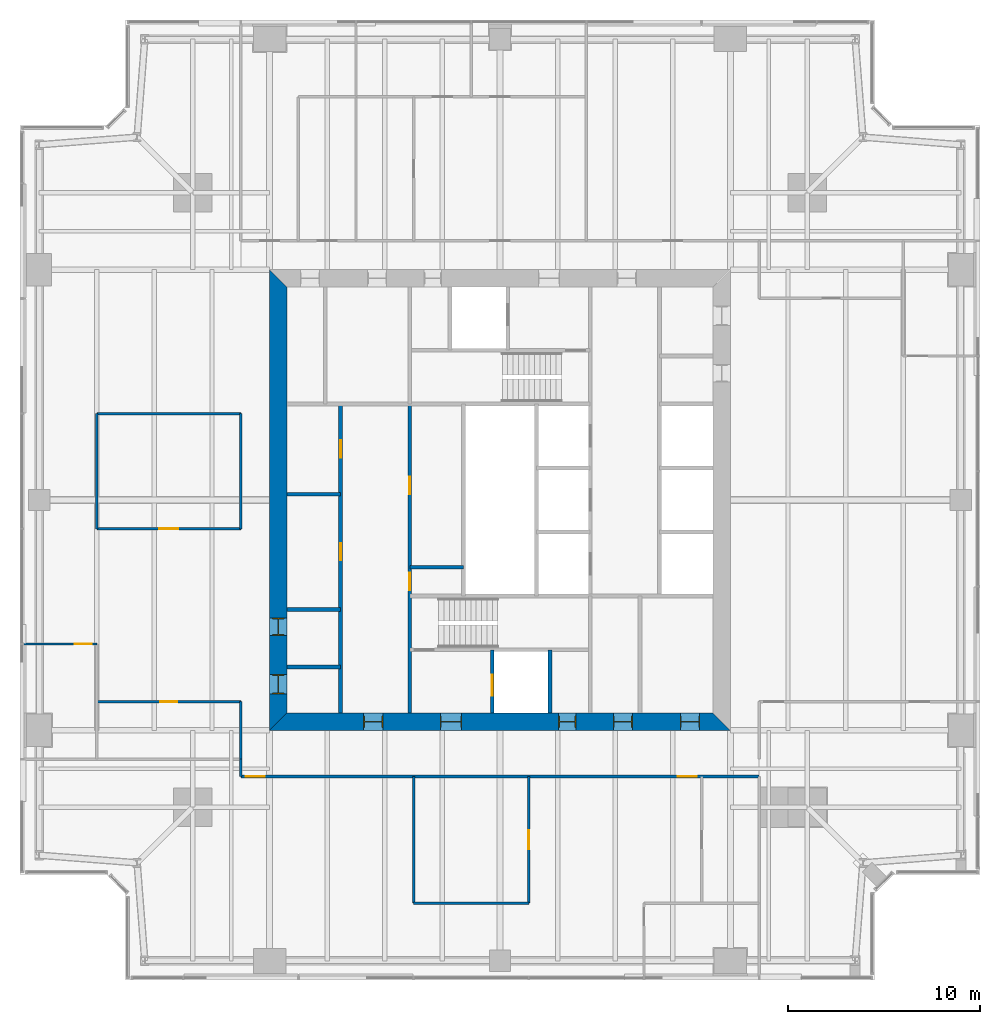
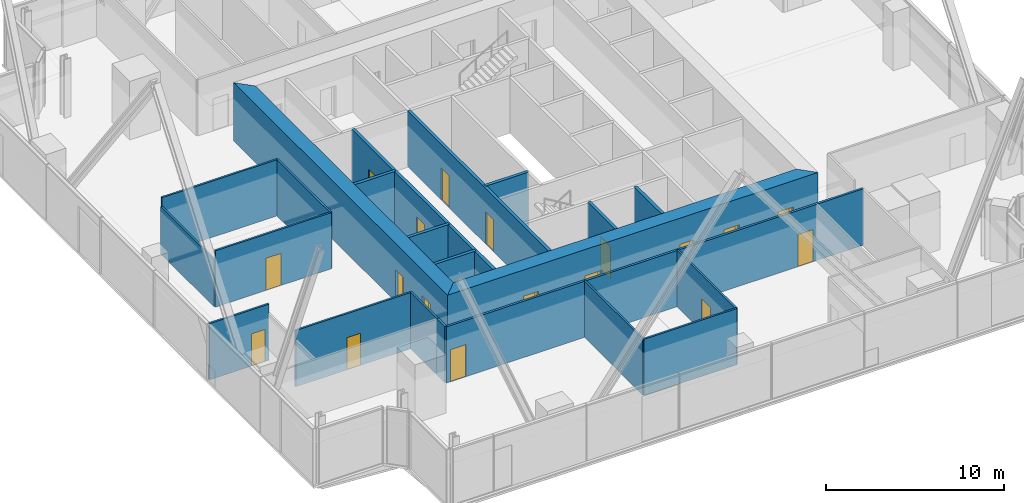
# One storey, part 9 of 13: 22 walls, 18 doors, 18 openings.
"""IFC4 building model written with IfcOpenShell, lengths in metres."""

from ifc_helpers import new_model, si_unit, direction, frame, frame_2d, origin, place, context, subcontext, project, spatial, polyline, rectangle, outline, extrude, material, layer, layer_set, type_object, element, fill, save


model = new_model("IFC4")

# Units and contexts
model_context = context("Model", 3, precision=1e-05, world=origin(), true_north=direction((0.0, 1.0)))
body_context = subcontext(model_context, "Body", "Model", "MODEL_VIEW")
ifc_project = project(units=[si_unit("LENGTHUNIT", "METRE"), si_unit("AREAUNIT", "SQUARE_METRE"), si_unit("VOLUMEUNIT", "CUBIC_METRE"), si_unit("PLANEANGLEUNIT", "RADIAN"), si_unit("MASSUNIT", "GRAM", prefix="KILO")], contexts=[model_context])

# Site, building, storey
site_placement = place(None, origin())
site = spatial("IfcSite", under=ifc_project, at=site_placement, CompositionType="ELEMENT")
building_placement = place(site_placement, origin())
building = spatial("IfcBuilding", under=site, at=building_placement, Name="Fenwick Lantern Interchange", CompositionType="ELEMENT")
storey_placement = place(building_placement, frame((0.0, 0.0, 201.800048828125)))
storey = spatial("IfcBuildingStorey", under=building, at=storey_placement, Name="L47", CompositionType="ELEMENT", Elevation=201.800048828125)

# Wall, openings, doors
ifc_material_1 = material(Name="Concrete masonry ASTM C90 Grade N", Category="masonry")
ifc_layer_1 = layer(ifc_material_1, 0.199951171875)
ifc_layer_set_1 = layer_set([ifc_layer_1], Name="Concrete masonry ASTM C90 Grade N")
wall_type_1 = type_object("IfcWallType", Name="CORE PARTITION 200", PredefinedType="PARTITIONING", material=ifc_layer_set_1)
wall_1_placement = place(storey_placement, frame((16.699951171875, 13.89990234375, 0.0), z_axis=(0.0, 0.0, 1.0), x_axis=(0.0, 1.0, 0.0)))
wall_1 = element("IfcWall", 1, at=wall_1_placement, inside=storey, type_object=wall_type_1, Name="L47/W/CORES/a", PredefinedType="PARTITIONING", context=body_context, shape_type="SweptSolid", body=[
    extrude(rectangle(XDim=16.10009765625, YDim=0.199951171875, at=frame_2d((8.050048828125, 0.0))), origin(), (0.0, 0.0, 1.0), 3.800048828125),
])
opening_1_placement = place(wall_1_placement, frame((7.949951171875, 0.0, 0.0)))
opening_1 = element("IfcOpeningElement", 2, at=opening_1_placement, cuts=wall_1, Name="Opening L47-D009", PredefinedType="OPENING", context=body_context, shape_type="SweptSolid", body=[
    extrude(rectangle(XDim=0.89990234375, YDim=2.199951171875, at=frame_2d((0.449951171875, 1.10009765625))), frame((0.0, 0.10986328125, 0.0), z_axis=(0.0, -1.0, 0.0), x_axis=(1.0, 0.0, 0.0)), (0.0, 0.0, 1.0), 0.219970703125),
])
opening_2_placement = place(wall_1_placement, frame((13.300048828125, 0.0, 0.0)))
opening_2 = element("IfcOpeningElement", 3, at=opening_2_placement, cuts=wall_1, Name="Opening L47-D010", PredefinedType="OPENING", context=body_context, shape_type="SweptSolid", body=[
    extrude(rectangle(XDim=0.89990234375, YDim=2.199951171875, at=frame_2d((0.449951171875, 1.10009765625))), frame((0.0, 0.10986328125, 0.0), z_axis=(0.0, -1.0, 0.0), x_axis=(1.0, 0.0, 0.0)), (0.0, 0.0, 1.0), 0.219970703125),
])
ifc_material_2 = material(Name="Steel door and frame", Category="steel")
door_type_1 = type_object("IfcDoorType", Name="SERVICE DOOR 900 X 2200", OperationType="SINGLE_SWING_LEFT", PredefinedType="DOOR", material=ifc_material_2)
door_1_placement = place(opening_1_placement, origin())
door_1 = element("IfcDoor", 4, at=door_1_placement, inside=storey, type_object=door_type_1, Name="Service door", OperationType="SINGLE_SWING_LEFT", OverallHeight=2.199951171875, OverallWidth=0.89990234375, PredefinedType="DOOR", context=body_context, shape_type="SweptSolid", body=[
    extrude(rectangle(XDim=0.89990234375, YDim=2.199951171875, at=frame_2d((0.449951171875, 1.10009765625))), frame((0.0, 0.02490234375, 0.0), z_axis=(0.0, -1.0, 0.0), x_axis=(1.0, 0.0, 0.0)), (0.0, 0.0, 1.0), 0.050048828125),
])
fill(opening_1, door_1)
door_2_placement = place(opening_2_placement, origin())
door_2 = element("IfcDoor", 5, at=door_2_placement, inside=storey, type_object=door_type_1, Name="Service door", OperationType="SINGLE_SWING_LEFT", OverallHeight=2.199951171875, OverallWidth=0.89990234375, PredefinedType="DOOR", context=body_context, shape_type="SweptSolid", body=[
    extrude(rectangle(XDim=0.89990234375, YDim=2.199951171875, at=frame_2d((0.449951171875, 1.10009765625))), frame((0.0, 0.02490234375, 0.0), z_axis=(0.0, -1.0, 0.0), x_axis=(1.0, 0.0, 0.0)), (0.0, 0.0, 1.0), 0.050048828125),
])
fill(opening_2, door_2)

# Wall, opening, door
wall_2_placement = place(storey_placement, frame((24.60009765625, 13.89990234375, 0.0), z_axis=(0.0, 0.0, 1.0), x_axis=(0.0, 1.0, 0.0)))
wall_2 = element("IfcWall", 6, at=wall_2_placement, inside=storey, type_object=wall_type_1, Name="L47/W/CORES/h1", PredefinedType="PARTITIONING", context=body_context, shape_type="SweptSolid", body=[
    extrude(rectangle(XDim=3.300048828125, YDim=0.199951171875, at=frame_2d((1.64990234375, 0.0))), origin(), (0.0, 0.0, 1.0), 3.800048828125),
])
opening_3_placement = place(wall_2_placement, frame((0.89990234375, 0.0, 0.0)))
opening_3 = element("IfcOpeningElement", 7, at=opening_3_placement, cuts=wall_2, Name="Opening LD-FL1", PredefinedType="OPENING", context=body_context, shape_type="SweptSolid", body=[
    extrude(rectangle(XDim=1.10009765625, YDim=2.199951171875, at=frame_2d((0.550048828125, 1.10009765625))), frame((0.0, 0.10986328125, 0.0), z_axis=(0.0, -1.0, 0.0), x_axis=(1.0, 0.0, 0.0)), (0.0, 0.0, 1.0), 0.219970703125),
])
door_type_2 = type_object("IfcDoorType", Name="LIFT LANDING DOOR 1100 X 2200", OperationType="DOUBLE_DOOR_SLIDING", PredefinedType="DOOR", material=ifc_material_2)
door_3_placement = place(opening_3_placement, origin())
door_3 = element("IfcDoor", 8, at=door_3_placement, inside=storey, type_object=door_type_2, Name="Lift landing door FL1", OperationType="DOUBLE_DOOR_SLIDING", OverallHeight=2.199951171875, OverallWidth=1.10009765625, PredefinedType="DOOR", context=body_context, shape_type="SweptSolid", body=[
    extrude(rectangle(XDim=1.10009765625, YDim=2.199951171875, at=frame_2d((0.550048828125, 1.10009765625))), frame((0.0, 0.02490234375, 0.0), z_axis=(0.0, -1.0, 0.0), x_axis=(1.0, 0.0, 0.0)), (0.0, 0.0, 1.0), 0.050048828125),
])
fill(opening_3, door_3)

# Walls
wall_3_placement = place(storey_placement, frame((27.60009765625, 13.89990234375, 0.0), z_axis=(0.0, 0.0, 1.0), x_axis=(0.0, 1.0, 0.0)))
element("IfcWall", 9, at=wall_3_placement, inside=storey, type_object=wall_type_1, Name="L47/W/CORES/h2", PredefinedType="PARTITIONING", context=body_context, shape_type="SweptSolid", body=[
    extrude(rectangle(XDim=3.300048828125, YDim=0.199951171875, at=frame_2d((1.64990234375, 0.0))), origin(), (0.0, 0.0, 1.0), 3.800048828125),
])
for number, where, z_axis, x_axis, name in (
    (10, (13.89990234375, 16.300048828125, 0.0), (0.0, 0.0, 1.0), (1.0, 0.0, 0.0), "L47/W/CORES/p1"),
    (11, (13.89990234375, 19.300048828125, 0.0), (0.0, 0.0, 1.0), (1.0, 0.0, 0.0), "L47/W/CORES/p2"),
    (12, (13.89990234375, 25.300048828125, 0.0), (0.0, 0.0, 1.0), (1.0, 0.0, 0.0), "L47/W/CORES/p3"),
    (13, (20.300048828125, 21.5, 0.0), (0.0, 0.0, 1.0), (1.0, 0.0, 0.0), "L47/W/CORES/q1"),
):
    element("IfcWall", number, at=place(storey_placement, frame(where, z_axis=z_axis, x_axis=x_axis)), inside=storey, type_object=wall_type_1, Name=name, PredefinedType="PARTITIONING", context=body_context, shape_type="SweptSolid", body=[
        extrude(rectangle(XDim=2.800048828125, YDim=0.199951171875, at=frame_2d((1.39990234375, 0.0))), origin(), (0.0, 0.0, 1.0), 3.800048828125),
    ])

# Wall, openings, doors
ifc_material_3 = material(Name="Concrete f'c 70 MPa", Category="concrete")
ifc_layer_2 = layer(ifc_material_3, 0.89990234375)
ifc_layer_set_2 = layer_set([ifc_layer_2], Name="CORE WALL 900")
wall_type_2 = type_object("IfcWallType", Name="CORE WALL 900", PredefinedType="SHEAR", material=ifc_layer_set_2)
wall_4_placement = place(storey_placement, frame((13.0, 13.449951171875, 0.0), z_axis=(0.0, 0.0, 1.0), x_axis=(1.0, 0.0, 0.0)))
wall_4 = element("IfcWall", 14, at=wall_4_placement, inside=storey, type_object=wall_type_2, Name="L47/CORE/S", PredefinedType="SHEAR", context=body_context, shape_type="SweptSolid", body=[
    extrude(outline(polyline([(0.0, -0.449951171875), (24.0, -0.449951171875), (23.10009765625, 0.449951171875), (0.89990234375, 0.449951171875), (0.0, -0.449951171875)])), origin(), (0.0, 0.0, 1.0), 4.0),
])
opening_4_placement = place(wall_4_placement, frame((4.89990234375, 0.0, 0.0)))
opening_4 = element("IfcOpeningElement", 15, at=opening_4_placement, cuts=wall_4, Name="Opening L47-D001", PredefinedType="OPENING", context=body_context, shape_type="SweptSolid", body=[
    extrude(rectangle(XDim=1.0, YDim=2.199951171875, at=frame_2d((0.5, 1.10009765625))), frame((0.0, 0.4599609375, 0.0), z_axis=(0.0, -1.0, 0.0), x_axis=(1.0, 0.0, 0.0)), (0.0, 0.0, 1.0), 0.919921875),
])
opening_5_placement = place(wall_4_placement, frame((8.89990234375, 0.0, 0.0)))
opening_5 = element("IfcOpeningElement", 16, at=opening_5_placement, cuts=wall_4, Name="Opening L47-D002", PredefinedType="OPENING", context=body_context, shape_type="SweptSolid", body=[
    extrude(rectangle(XDim=1.10009765625, YDim=2.199951171875, at=frame_2d((0.550048828125, 1.10009765625))), frame((0.0, 0.4599609375, 0.0), z_axis=(0.0, -1.0, 0.0), x_axis=(1.0, 0.0, 0.0)), (0.0, 0.0, 1.0), 0.919921875),
])
opening_6_placement = place(wall_4_placement, frame((15.050048828125, 0.0, 0.0)))
opening_6 = element("IfcOpeningElement", 17, at=opening_6_placement, cuts=wall_4, Name="Opening L47-D004", PredefinedType="OPENING", context=body_context, shape_type="SweptSolid", body=[
    extrude(rectangle(XDim=0.89990234375, YDim=2.199951171875, at=frame_2d((0.449951171875, 1.10009765625))), frame((0.0, 0.4599609375, 0.0), z_axis=(0.0, -1.0, 0.0), x_axis=(1.0, 0.0, 0.0)), (0.0, 0.0, 1.0), 0.919921875),
])
opening_7_placement = place(wall_4_placement, frame((17.89990234375, 0.0, 0.0)))
opening_7 = element("IfcOpeningElement", 18, at=opening_7_placement, cuts=wall_4, Name="Opening L47-D005", PredefinedType="OPENING", context=body_context, shape_type="SweptSolid", body=[
    extrude(rectangle(XDim=1.0, YDim=2.199951171875, at=frame_2d((0.5, 1.10009765625))), frame((0.0, 0.4599609375, 0.0), z_axis=(0.0, -1.0, 0.0), x_axis=(1.0, 0.0, 0.0)), (0.0, 0.0, 1.0), 0.919921875),
])
opening_8_placement = place(wall_4_placement, frame((21.39990234375, 0.0, 0.0)))
opening_8 = element("IfcOpeningElement", 19, at=opening_8_placement, cuts=wall_4, Name="Opening L47-D006", PredefinedType="OPENING", context=body_context, shape_type="SweptSolid", body=[
    extrude(rectangle(XDim=1.0, YDim=2.199951171875, at=frame_2d((0.5, 1.10009765625))), frame((0.0, 0.4599609375, 0.0), z_axis=(0.0, -1.0, 0.0), x_axis=(1.0, 0.0, 0.0)), (0.0, 0.0, 1.0), 0.919921875),
])
door_type_3 = type_object("IfcDoorType", Name="CORE LOBBY DOOR 1000 X 2200", OperationType="SINGLE_SWING_LEFT", PredefinedType="DOOR", material=ifc_material_2)
door_4_placement = place(opening_4_placement, origin())
door_4 = element("IfcDoor", 20, at=door_4_placement, inside=storey, type_object=door_type_3, Name="Core lobby door", OperationType="SINGLE_SWING_LEFT", OverallHeight=2.199951171875, OverallWidth=1.0, PredefinedType="DOOR", context=body_context, shape_type="SweptSolid", body=[
    extrude(rectangle(XDim=1.0, YDim=2.199951171875, at=frame_2d((0.5, 1.10009765625))), frame((0.0, 0.02490234375, 0.0), z_axis=(0.0, -1.0, 0.0), x_axis=(1.0, 0.0, 0.0)), (0.0, 0.0, 1.0), 0.050048828125),
    extrude(outline(polyline([(0.0, 0.0), (0.0400390625, 0.0), (0.0400390625, 2.159912109375), (0.9599609375, 2.159912109375), (0.9599609375, 0.0), (1.0, 0.0), (1.0, 2.199951171875), (0.0, 2.199951171875), (0.0, 0.0)])), frame((0.0, 0.300048828125, 0.0), z_axis=(0.0, -1.0, 0.0), x_axis=(1.0, 0.0, 0.0)), (0.0, 0.0, 1.0), 0.60009765625),
])
fill(opening_4, door_4)
door_type_4 = type_object("IfcDoorType", Name="FIRE LOBBY DOOR 1100 X 2200", OperationType="SINGLE_SWING_LEFT", PredefinedType="DOOR", material=ifc_material_2)
door_5_placement = place(opening_5_placement, origin())
door_5 = element("IfcDoor", 21, at=door_5_placement, inside=storey, type_object=door_type_4, Name="Fire lobby door", OperationType="SINGLE_SWING_LEFT", OverallHeight=2.199951171875, OverallWidth=1.10009765625, PredefinedType="DOOR", context=body_context, shape_type="SweptSolid", body=[
    extrude(rectangle(XDim=1.10009765625, YDim=2.199951171875, at=frame_2d((0.550048828125, 1.10009765625))), frame((0.0, 0.02490234375, 0.0), z_axis=(0.0, -1.0, 0.0), x_axis=(1.0, 0.0, 0.0)), (0.0, 0.0, 1.0), 0.050048828125),
    extrude(outline(polyline([(0.0, 0.0), (0.0400390625, 0.0), (0.0400390625, 2.159912109375), (1.06005859375, 2.159912109375), (1.06005859375, 0.0), (1.10009765625, 0.0), (1.10009765625, 2.199951171875), (0.0, 2.199951171875), (0.0, 0.0)])), frame((0.0, 0.300048828125, 0.0), z_axis=(0.0, -1.0, 0.0), x_axis=(1.0, 0.0, 0.0)), (0.0, 0.0, 1.0), 0.60009765625),
])
fill(opening_5, door_5)
door_6_placement = place(opening_6_placement, origin())
door_6 = element("IfcDoor", 22, at=door_6_placement, inside=storey, type_object=door_type_1, Name="Service door", OperationType="SINGLE_SWING_LEFT", OverallHeight=2.199951171875, OverallWidth=0.89990234375, PredefinedType="DOOR", context=body_context, shape_type="SweptSolid", body=[
    extrude(rectangle(XDim=0.89990234375, YDim=2.199951171875, at=frame_2d((0.449951171875, 1.10009765625))), frame((0.0, 0.02490234375, 0.0), z_axis=(0.0, -1.0, 0.0), x_axis=(1.0, 0.0, 0.0)), (0.0, 0.0, 1.0), 0.050048828125),
    extrude(outline(polyline([(0.0, 0.0), (0.0400390625, 0.0), (0.0400390625, 2.159912109375), (0.85986328125, 2.159912109375), (0.85986328125, 0.0), (0.89990234375, 0.0), (0.89990234375, 2.199951171875), (0.0, 2.199951171875), (0.0, 0.0)])), frame((0.0, 0.300048828125, 0.0), z_axis=(0.0, -1.0, 0.0), x_axis=(1.0, 0.0, 0.0)), (0.0, 0.0, 1.0), 0.60009765625),
])
fill(opening_6, door_6)
ifc_material_4 = material(Name="Hardwood door and steel frame", Category="steel")
door_type_5 = type_object("IfcDoorType", Name="WC DOOR 1000 X 2200", OperationType="SINGLE_SWING_LEFT", PredefinedType="DOOR", material=ifc_material_4)
door_7_placement = place(opening_7_placement, origin())
door_7 = element("IfcDoor", 23, at=door_7_placement, inside=storey, type_object=door_type_5, Name="Wc door", OperationType="SINGLE_SWING_RIGHT", OverallHeight=2.199951171875, OverallWidth=1.0, PredefinedType="DOOR", context=body_context, shape_type="SweptSolid", body=[
    extrude(rectangle(XDim=1.0, YDim=2.199951171875, at=frame_2d((0.5, 1.10009765625))), frame((0.0, 0.02490234375, 0.0), z_axis=(0.0, -1.0, 0.0), x_axis=(1.0, 0.0, 0.0)), (0.0, 0.0, 1.0), 0.050048828125),
    extrude(outline(polyline([(0.0, 0.0), (0.0400390625, 0.0), (0.0400390625, 2.159912109375), (0.9599609375, 2.159912109375), (0.9599609375, 0.0), (1.0, 0.0), (1.0, 2.199951171875), (0.0, 2.199951171875), (0.0, 0.0)])), frame((0.0, 0.300048828125, 0.0), z_axis=(0.0, -1.0, 0.0), x_axis=(1.0, 0.0, 0.0)), (0.0, 0.0, 1.0), 0.60009765625),
])
fill(opening_7, door_7)
door_8_placement = place(opening_8_placement, origin())
door_8 = element("IfcDoor", 24, at=door_8_placement, inside=storey, type_object=door_type_5, Name="Wc door", OperationType="SINGLE_SWING_RIGHT", OverallHeight=2.199951171875, OverallWidth=1.0, PredefinedType="DOOR", context=body_context, shape_type="SweptSolid", body=[
    extrude(rectangle(XDim=1.0, YDim=2.199951171875, at=frame_2d((0.5, 1.10009765625))), frame((0.0, 0.02490234375, 0.0), z_axis=(0.0, -1.0, 0.0), x_axis=(1.0, 0.0, 0.0)), (0.0, 0.0, 1.0), 0.050048828125),
    extrude(outline(polyline([(0.0, 0.0), (0.0400390625, 0.0), (0.0400390625, 2.159912109375), (0.9599609375, 2.159912109375), (0.9599609375, 0.0), (1.0, 0.0), (1.0, 2.199951171875), (0.0, 2.199951171875), (0.0, 0.0)])), frame((0.0, 0.300048828125, 0.0), z_axis=(0.0, -1.0, 0.0), x_axis=(1.0, 0.0, 0.0)), (0.0, 0.0, 1.0), 0.60009765625),
])
fill(opening_8, door_8)

wall_5_placement = place(storey_placement, frame((13.449951171875, 36.10009765625, 0.0), z_axis=(0.0, 0.0, 1.0), x_axis=(0.0, -1.0, 0.0)))
wall_5 = element("IfcWall", 25, at=wall_5_placement, inside=storey, type_object=wall_type_2, Name="L47/CORE/W", PredefinedType="SHEAR", context=body_context, shape_type="SweptSolid", body=[
    extrude(outline(polyline([(-0.89990234375, -0.449951171875), (23.10009765625, -0.449951171875), (22.199951171875, 0.449951171875), (0.0, 0.449951171875), (-0.89990234375, -0.449951171875)])), origin(), (0.0, 0.0, 1.0), 4.0),
])
opening_9_placement = place(wall_5_placement, frame((20.199951171875, 0.0, 0.0)))
opening_9 = element("IfcOpeningElement", 26, at=opening_9_placement, cuts=wall_5, Name="Opening L47-D007", PredefinedType="OPENING", context=body_context, shape_type="SweptSolid", body=[
    extrude(rectangle(XDim=1.0, YDim=2.199951171875, at=frame_2d((0.5, 1.10009765625))), frame((0.0, 0.4599609375, 0.0), z_axis=(0.0, -1.0, 0.0), x_axis=(1.0, 0.0, 0.0)), (0.0, 0.0, 1.0), 0.919921875),
])
opening_10_placement = place(wall_5_placement, frame((17.25, 0.0, 0.0)))
opening_10 = element("IfcOpeningElement", 27, at=opening_10_placement, cuts=wall_5, Name="Opening L47-D008", PredefinedType="OPENING", context=body_context, shape_type="SweptSolid", body=[
    extrude(rectangle(XDim=0.89990234375, YDim=2.199951171875, at=frame_2d((0.449951171875, 1.10009765625))), frame((0.0, 0.4599609375, 0.0), z_axis=(0.0, -1.0, 0.0), x_axis=(1.0, 0.0, 0.0)), (0.0, 0.0, 1.0), 0.919921875),
])
door_9_placement = place(opening_10_placement, origin())
door_9 = element("IfcDoor", 28, at=door_9_placement, inside=storey, type_object=door_type_1, Name="Service door", OperationType="SINGLE_SWING_LEFT", OverallHeight=2.199951171875, OverallWidth=0.89990234375, PredefinedType="DOOR", context=body_context, shape_type="SweptSolid", body=[
    extrude(rectangle(XDim=0.89990234375, YDim=2.199951171875, at=frame_2d((0.449951171875, 1.10009765625))), frame((0.0, 0.02490234375, 0.0), z_axis=(0.0, -1.0, 0.0), x_axis=(1.0, 0.0, 0.0)), (0.0, 0.0, 1.0), 0.050048828125),
    extrude(outline(polyline([(0.0, 0.0), (0.0400390625, 0.0), (0.0400390625, 2.159912109375), (0.85986328125, 2.159912109375), (0.85986328125, 0.0), (0.89990234375, 0.0), (0.89990234375, 2.199951171875), (0.0, 2.199951171875), (0.0, 0.0)])), frame((0.0, 0.300048828125, 0.0), z_axis=(0.0, -1.0, 0.0), x_axis=(1.0, 0.0, 0.0)), (0.0, 0.0, 1.0), 0.60009765625),
])
fill(opening_10, door_9)
door_10_placement = place(opening_9_placement, origin())
door_10 = element("IfcDoor", 29, at=door_10_placement, inside=storey, type_object=door_type_5, Name="Wc door", OperationType="SINGLE_SWING_LEFT", OverallHeight=2.199951171875, OverallWidth=1.0, PredefinedType="DOOR", context=body_context, shape_type="SweptSolid", body=[
    extrude(rectangle(XDim=1.0, YDim=2.199951171875, at=frame_2d((0.5, 1.10009765625))), frame((0.0, 0.02490234375, 0.0), z_axis=(0.0, -1.0, 0.0), x_axis=(1.0, 0.0, 0.0)), (0.0, 0.0, 1.0), 0.050048828125),
    extrude(outline(polyline([(0.0, 0.0), (0.0400390625, 0.0), (0.0400390625, 2.159912109375), (0.9599609375, 2.159912109375), (0.9599609375, 0.0), (1.0, 0.0), (1.0, 2.199951171875), (0.0, 2.199951171875), (0.0, 0.0)])), frame((0.0, 0.300048828125, 0.0), z_axis=(0.0, -1.0, 0.0), x_axis=(1.0, 0.0, 0.0)), (0.0, 0.0, 1.0), 0.60009765625),
])
fill(opening_9, door_10)

# Wall
ifc_material_5 = material(Name="Gypsum board on steel studs, 1 hour", Category="steel")
ifc_layer_3 = layer(ifc_material_5, 0.14990234375)
ifc_layer_set_3 = layer_set([ifc_layer_3], Name="CORRIDOR WALL 150")
wall_type_3 = type_object("IfcWallType", Name="CORRIDOR WALL 150", PredefinedType="PARTITIONING", material=ifc_layer_set_3)
wall_6_placement = place(storey_placement, frame((11.5, 11.5, 0.0), z_axis=(0.0, 0.0, 1.0), x_axis=(0.0, -1.0, 0.0)))
element("IfcWall", 30, at=wall_6_placement, inside=storey, type_object=wall_type_3, Name="L47/W/OFF/S/CWJ", PredefinedType="PARTITIONING", context=body_context, shape_type="SweptSolid", body=[
    extrude(rectangle(XDim=0.89990234375, YDim=0.14990234375, at=frame_2d((0.449951171875, 0.0))), origin(), (0.0, 0.0, 1.0), 3.849853515625),
])

# Wall, openings, doors
wall_7_placement = place(storey_placement, frame((11.5, 10.60009765625, 0.0), z_axis=(0.0, 0.0, 1.0), x_axis=(1.0, 0.0, 0.0)))
wall_7 = element("IfcWall", 31, at=wall_7_placement, inside=storey, type_object=wall_type_3, Name="L47/W/OFF/S/CW2", PredefinedType="PARTITIONING", context=body_context, shape_type="SweptSolid", body=[
    extrude(rectangle(XDim=27.0, YDim=0.14990234375, at=frame_2d((13.5, 0.0))), origin(), (0.0, 0.0, 1.0), 3.849853515625),
])
opening_11_placement = place(wall_7_placement, frame((0.25, 0.0, 0.0)))
opening_11 = element("IfcOpeningElement", 32, at=opening_11_placement, cuts=wall_7, Name="Opening L47-D021", PredefinedType="OPENING", context=body_context, shape_type="SweptSolid", body=[
    extrude(rectangle(XDim=1.0, YDim=2.199951171875, at=frame_2d((0.5, 1.10009765625))), frame((0.0, 0.0849609375, 0.0), z_axis=(0.0, -1.0, 0.0), x_axis=(1.0, 0.0, 0.0)), (0.0, 0.0, 1.0), 0.169921875),
])
opening_12_placement = place(wall_7_placement, frame((22.75, 0.0, 0.0)))
opening_12 = element("IfcOpeningElement", 33, at=opening_12_placement, cuts=wall_7, Name="Opening L47-D022", PredefinedType="OPENING", context=body_context, shape_type="SweptSolid", body=[
    extrude(rectangle(XDim=1.0, YDim=2.199951171875, at=frame_2d((0.5, 1.10009765625))), frame((0.0, 0.0849609375, 0.0), z_axis=(0.0, -1.0, 0.0), x_axis=(1.0, 0.0, 0.0)), (0.0, 0.0, 1.0), 0.169921875),
])
door_type_6 = type_object("IfcDoorType", Name="SUITE ENTRANCE DOOR 1000 X 2200", OperationType="SINGLE_SWING_LEFT", PredefinedType="DOOR", material=ifc_material_2)
door_11_placement = place(opening_11_placement, origin())
door_11 = element("IfcDoor", 34, at=door_11_placement, inside=storey, type_object=door_type_6, Name="Suite entrance door", OperationType="SINGLE_SWING_LEFT", OverallHeight=2.199951171875, OverallWidth=1.0, PredefinedType="DOOR", context=body_context, shape_type="SweptSolid", body=[
    extrude(rectangle(XDim=1.0, YDim=2.199951171875, at=frame_2d((0.5, 1.10009765625))), frame((0.0, 0.02490234375, 0.0), z_axis=(0.0, -1.0, 0.0), x_axis=(1.0, 0.0, 0.0)), (0.0, 0.0, 1.0), 0.050048828125),
])
fill(opening_11, door_11)
door_12_placement = place(opening_12_placement, origin())
door_12 = element("IfcDoor", 35, at=door_12_placement, inside=storey, type_object=door_type_6, Name="Suite entrance door", OperationType="SINGLE_SWING_RIGHT", OverallHeight=2.199951171875, OverallWidth=1.0, PredefinedType="DOOR", context=body_context, shape_type="SweptSolid", body=[
    extrude(rectangle(XDim=1.0, YDim=2.199951171875, at=frame_2d((0.5, 1.10009765625))), frame((0.0, 0.02490234375, 0.0), z_axis=(0.0, -1.0, 0.0), x_axis=(1.0, 0.0, 0.0)), (0.0, 0.0, 1.0), 0.050048828125),
])
fill(opening_12, door_12)

# Wall
ifc_material_6 = material(Name="Gypsum board on steel studs, acoustic", Category="steel")
ifc_layer_4 = layer(ifc_material_6, 0.125)
ifc_layer_set_4 = layer_set([ifc_layer_4], Name="OFFICE PARTITION 125")
wall_type_4 = type_object("IfcWallType", Name="OFFICE PARTITION 125", PredefinedType="PARTITIONING", material=ifc_layer_set_4)
wall_8_placement = place(storey_placement, frame((20.5, 4.0, 0.0), z_axis=(0.0, 0.0, 1.0), x_axis=(0.0, 1.0, 0.0)))
element("IfcWall", 36, at=wall_8_placement, inside=storey, type_object=wall_type_4, Name="L47/W/OFF/S/X205-1", PredefinedType="PARTITIONING", context=body_context, shape_type="SweptSolid", body=[
    extrude(rectangle(XDim=6.60009765625, YDim=0.125, at=frame_2d((3.300048828125, 0.0))), origin(), (0.0, 0.0, 1.0), 3.849853515625),
])

# Wall, opening, door
wall_9_placement = place(storey_placement, frame((26.5, 4.0, 0.0), z_axis=(0.0, 0.0, 1.0), x_axis=(0.0, 1.0, 0.0)))
wall_9 = element("IfcWall", 37, at=wall_9_placement, inside=storey, type_object=wall_type_4, Name="L47/W/OFF/S/X265-1", PredefinedType="PARTITIONING", context=body_context, shape_type="SweptSolid", body=[
    extrude(rectangle(XDim=6.60009765625, YDim=0.125, at=frame_2d((3.300048828125, 0.0))), origin(), (0.0, 0.0, 1.0), 3.849853515625),
])
opening_13_placement = place(wall_9_placement, frame((2.800048828125, 0.0, 0.0)))
opening_13 = element("IfcOpeningElement", 38, at=opening_13_placement, cuts=wall_9, Name="Opening L47-D023", PredefinedType="OPENING", context=body_context, shape_type="SweptSolid", body=[
    extrude(rectangle(XDim=1.0, YDim=2.199951171875, at=frame_2d((0.5, 1.10009765625))), frame((0.0, 0.072509765625, 0.0), z_axis=(0.0, -1.0, 0.0), x_axis=(1.0, 0.0, 0.0)), (0.0, 0.0, 1.0), 0.14501953125),
])
door_type_7 = type_object("IfcDoorType", Name="MEETING ROOM DOOR 1000 X 2200", OperationType="SINGLE_SWING_LEFT", PredefinedType="DOOR", material=ifc_material_4)
door_13_placement = place(opening_13_placement, origin())
door_13 = element("IfcDoor", 39, at=door_13_placement, inside=storey, type_object=door_type_7, Name="Meeting room door", OperationType="SINGLE_SWING_LEFT", OverallHeight=2.199951171875, OverallWidth=1.0, PredefinedType="DOOR", context=body_context, shape_type="SweptSolid", body=[
    extrude(rectangle(XDim=1.0, YDim=2.199951171875, at=frame_2d((0.5, 1.10009765625))), frame((0.0, 0.02490234375, 0.0), z_axis=(0.0, -1.0, 0.0), x_axis=(1.0, 0.0, 0.0)), (0.0, 0.0, 1.0), 0.050048828125),
])
fill(opening_13, door_13)

# Walls
wall_10_placement = place(storey_placement, frame((20.5, 4.0, 0.0), z_axis=(0.0, 0.0, 1.0), x_axis=(1.0, 0.0, 0.0)))
element("IfcWall", 40, at=wall_10_placement, inside=storey, type_object=wall_type_4, Name="L47/W/OFF/S/Y40-1", PredefinedType="PARTITIONING", context=body_context, shape_type="SweptSolid", body=[
    extrude(rectangle(XDim=6.0, YDim=0.125, at=frame_2d((3.0, 0.0))), origin(), (0.0, 0.0, 1.0), 3.849853515625),
])
wall_11_placement = place(storey_placement, frame((4.0, 29.5, 0.0), z_axis=(0.0, 0.0, 1.0), x_axis=(1.0, 0.0, 0.0)))
element("IfcWall", 41, at=wall_11_placement, inside=storey, type_object=wall_type_4, Name="L47/W/OFF/W/X205-1", PredefinedType="PARTITIONING", context=body_context, shape_type="SweptSolid", body=[
    extrude(rectangle(XDim=7.5, YDim=0.125, at=frame_2d((3.75, 0.0))), origin(), (0.0, 0.0, 1.0), 3.849853515625),
])

# Wall, opening, door
wall_12_placement = place(storey_placement, frame((4.0, 23.5, 0.0), z_axis=(0.0, 0.0, 1.0), x_axis=(1.0, 0.0, 0.0)))
wall_12 = element("IfcWall", 42, at=wall_12_placement, inside=storey, type_object=wall_type_4, Name="L47/W/OFF/W/X265-1", PredefinedType="PARTITIONING", context=body_context, shape_type="SweptSolid", body=[
    extrude(rectangle(XDim=7.5, YDim=0.125, at=frame_2d((3.75, 0.0))), origin(), (0.0, 0.0, 1.0), 3.849853515625),
])
opening_14_placement = place(wall_12_placement, frame((3.25, 0.0, 0.0)))
opening_14 = element("IfcOpeningElement", 43, at=opening_14_placement, cuts=wall_12, Name="Opening L47-D037", PredefinedType="OPENING", context=body_context, shape_type="SweptSolid", body=[
    extrude(rectangle(XDim=1.0, YDim=2.199951171875, at=frame_2d((0.5, 1.10009765625))), frame((0.0, 0.072509765625, 0.0), z_axis=(0.0, -1.0, 0.0), x_axis=(1.0, 0.0, 0.0)), (0.0, 0.0, 1.0), 0.14501953125),
])
door_14_placement = place(opening_14_placement, origin())
door_14 = element("IfcDoor", 44, at=door_14_placement, inside=storey, type_object=door_type_7, Name="Meeting room door", OperationType="SINGLE_SWING_LEFT", OverallHeight=2.199951171875, OverallWidth=1.0, PredefinedType="DOOR", context=body_context, shape_type="SweptSolid", body=[
    extrude(rectangle(XDim=1.0, YDim=2.199951171875, at=frame_2d((0.5, 1.10009765625))), frame((0.0, 0.02490234375, 0.0), z_axis=(0.0, -1.0, 0.0), x_axis=(1.0, 0.0, 0.0)), (0.0, 0.0, 1.0), 0.050048828125),
])
fill(opening_14, door_14)

wall_13_placement = place(storey_placement, frame((0.14990234375, 17.5, 0.0), z_axis=(0.0, 0.0, 1.0), x_axis=(1.0, 0.0, 0.0)))
wall_13 = element("IfcWall", 45, at=wall_13_placement, inside=storey, type_object=wall_type_4, Name="L47/W/OFF/W/X325-1", PredefinedType="PARTITIONING", context=body_context, shape_type="SweptSolid", body=[
    extrude(rectangle(XDim=3.85009765625, YDim=0.125, at=frame_2d((1.925048828125, 0.0))), origin(), (0.0, 0.0, 1.0), 3.849853515625),
])
opening_15_placement = place(wall_13_placement, frame((2.699951171875, 0.0, 0.0)))
opening_15 = element("IfcOpeningElement", 46, at=opening_15_placement, cuts=wall_13, Name="Opening L47-D038", PredefinedType="OPENING", context=body_context, shape_type="SweptSolid", body=[
    extrude(rectangle(XDim=0.89990234375, YDim=2.199951171875, at=frame_2d((0.449951171875, 1.10009765625))), frame((0.0, 0.072509765625, 0.0), z_axis=(0.0, -1.0, 0.0), x_axis=(1.0, 0.0, 0.0)), (0.0, 0.0, 1.0), 0.14501953125),
])
door_type_8 = type_object("IfcDoorType", Name="OFFICE DOOR 900 X 2200", OperationType="SINGLE_SWING_LEFT", PredefinedType="DOOR", material=ifc_material_4)
door_15_placement = place(opening_15_placement, frame((0.89990234375, 0.0, 0.0), z_axis=(0.0, 0.0, 1.0), x_axis=(-1.0, 0.0, 0.0)))
door_15 = element("IfcDoor", 47, at=door_15_placement, inside=storey, type_object=door_type_8, Name="Office door", OperationType="SINGLE_SWING_LEFT", OverallHeight=2.199951171875, OverallWidth=0.89990234375, PredefinedType="DOOR", context=body_context, shape_type="SweptSolid", body=[
    extrude(rectangle(XDim=0.89990234375, YDim=2.199951171875, at=frame_2d((0.449951171875, 1.10009765625))), frame((0.0, 0.02490234375, 0.0), z_axis=(0.0, -1.0, 0.0), x_axis=(1.0, 0.0, 0.0)), (0.0, 0.0, 1.0), 0.050048828125),
])
fill(opening_15, door_15)

wall_14_placement = place(storey_placement, frame((4.0, 14.5, 0.0), z_axis=(0.0, 0.0, 1.0), x_axis=(1.0, 0.0, 0.0)))
wall_14 = element("IfcWall", 48, at=wall_14_placement, inside=storey, type_object=wall_type_4, Name="L47/W/OFF/W/X355-1", PredefinedType="PARTITIONING", context=body_context, shape_type="SweptSolid", body=[
    extrude(rectangle(XDim=7.5, YDim=0.125, at=frame_2d((3.75, 0.0))), origin(), (0.0, 0.0, 1.0), 3.849853515625),
])
opening_16_placement = place(wall_14_placement, frame((3.300048828125, 0.0, 0.0)))
opening_16 = element("IfcOpeningElement", 49, at=opening_16_placement, cuts=wall_14, Name="Opening L47-D039", PredefinedType="OPENING", context=body_context, shape_type="SweptSolid", body=[
    extrude(rectangle(XDim=0.89990234375, YDim=2.199951171875, at=frame_2d((0.449951171875, 1.10009765625))), frame((0.0, 0.072509765625, 0.0), z_axis=(0.0, -1.0, 0.0), x_axis=(1.0, 0.0, 0.0)), (0.0, 0.0, 1.0), 0.14501953125),
])
door_16_placement = place(opening_16_placement, frame((0.89990234375, 0.0, 0.0), z_axis=(0.0, 0.0, 1.0), x_axis=(-1.0, 0.0, 0.0)))
door_16 = element("IfcDoor", 50, at=door_16_placement, inside=storey, type_object=door_type_8, Name="Office door", OperationType="SINGLE_SWING_RIGHT", OverallHeight=2.199951171875, OverallWidth=0.89990234375, PredefinedType="DOOR", context=body_context, shape_type="SweptSolid", body=[
    extrude(rectangle(XDim=0.89990234375, YDim=2.199951171875, at=frame_2d((0.449951171875, 1.10009765625))), frame((0.0, 0.02490234375, 0.0), z_axis=(0.0, -1.0, 0.0), x_axis=(1.0, 0.0, 0.0)), (0.0, 0.0, 1.0), 0.050048828125),
])
fill(opening_16, door_16)

# Walls
wall_15_placement = place(storey_placement, frame((4.0, 29.5, 0.0), z_axis=(0.0, 0.0, 1.0), x_axis=(0.0, -1.0, 0.0)))
element("IfcWall", 51, at=wall_15_placement, inside=storey, type_object=wall_type_4, Name="L47/W/OFF/W/Y40-1", PredefinedType="PARTITIONING", context=body_context, shape_type="SweptSolid", body=[
    extrude(rectangle(XDim=6.0, YDim=0.125, at=frame_2d((3.0, 0.0))), origin(), (0.0, 0.0, 1.0), 3.23779296875),
])
wall_16_placement = place(storey_placement, frame((11.5, 29.5, 0.0), z_axis=(0.0, 0.0, 1.0), x_axis=(0.0, -1.0, 0.0)))
element("IfcWall", 52, at=wall_16_placement, inside=storey, type_object=wall_type_4, Name="L47/W/OFF/W/CWS1", PredefinedType="PARTITIONING", context=body_context, shape_type="SweptSolid", body=[
    extrude(rectangle(XDim=6.0, YDim=0.125, at=frame_2d((3.0, 0.0))), origin(), (0.0, 0.0, 1.0), 3.849853515625),
])
wall_17_placement = place(storey_placement, frame((11.5, 14.5, 0.0), z_axis=(0.0, 0.0, 1.0), x_axis=(0.0, -1.0, 0.0)))
element("IfcWall", 53, at=wall_17_placement, inside=storey, type_object=wall_type_4, Name="L47/W/OFF/W/CWS2", PredefinedType="PARTITIONING", context=body_context, shape_type="SweptSolid", body=[
    extrude(rectangle(XDim=3.0, YDim=0.125, at=frame_2d((1.5, 0.0))), origin(), (0.0, 0.0, 1.0), 3.849853515625),
])

# Wall, openings, doors
ifc_material_7 = material(Name="Concrete f'c 45 MPa", Category="concrete")
ifc_layer_5 = layer(ifc_material_7, 0.199951171875)
ifc_layer_set_5 = layer_set([ifc_layer_5], Name="STAIR CORE WALL 200")
wall_type_5 = type_object("IfcWallType", Name="STAIR CORE WALL 200", PredefinedType="SOLIDWALL", material=ifc_layer_set_5)
wall_18_placement = place(storey_placement, frame((20.300048828125, 13.89990234375, 0.0), z_axis=(0.0, 0.0, 1.0), x_axis=(0.0, 1.0, 0.0)))
wall_18 = element("IfcWall", 54, at=wall_18_placement, inside=storey, type_object=wall_type_5, Name="L47/W/CORES/b", PredefinedType="SOLIDWALL", context=body_context, shape_type="SweptSolid", body=[
    extrude(rectangle(XDim=16.10009765625, YDim=0.199951171875, at=frame_2d((8.050048828125, 0.0))), origin(), (0.0, 0.0, 1.0), 3.800048828125),
])
opening_17_placement = place(wall_18_placement, frame((6.39990234375, 0.0, 0.0)))
opening_17 = element("IfcOpeningElement", 55, at=opening_17_placement, cuts=wall_18, Name="Opening L47-D011", PredefinedType="OPENING", context=body_context, shape_type="SweptSolid", body=[
    extrude(rectangle(XDim=0.89990234375, YDim=2.199951171875, at=frame_2d((0.449951171875, 1.10009765625))), frame((0.0, 0.10986328125, 0.0), z_axis=(0.0, -1.0, 0.0), x_axis=(1.0, 0.0, 0.0)), (0.0, 0.0, 1.0), 0.219970703125),
])
opening_18_placement = place(wall_18_placement, frame((11.39990234375, 0.0, 0.0)))
opening_18 = element("IfcOpeningElement", 56, at=opening_18_placement, cuts=wall_18, Name="Opening L47-D012", PredefinedType="OPENING", context=body_context, shape_type="SweptSolid", body=[
    extrude(rectangle(XDim=0.89990234375, YDim=2.199951171875, at=frame_2d((0.449951171875, 1.10009765625))), frame((0.0, 0.10986328125, 0.0), z_axis=(0.0, -1.0, 0.0), x_axis=(1.0, 0.0, 0.0)), (0.0, 0.0, 1.0), 0.219970703125),
])
door_17_placement = place(opening_17_placement, frame((0.89990234375, 0.0, 0.0), z_axis=(0.0, 0.0, 1.0), x_axis=(-1.0, 0.0, 0.0)))
door_17 = element("IfcDoor", 57, at=door_17_placement, inside=storey, type_object=door_type_1, Name="Service door", OperationType="SINGLE_SWING_RIGHT", OverallHeight=2.199951171875, OverallWidth=0.89990234375, PredefinedType="DOOR", context=body_context, shape_type="SweptSolid", body=[
    extrude(rectangle(XDim=0.89990234375, YDim=2.199951171875, at=frame_2d((0.449951171875, 1.10009765625))), frame((0.0, 0.02490234375, 0.0), z_axis=(0.0, -1.0, 0.0), x_axis=(1.0, 0.0, 0.0)), (0.0, 0.0, 1.0), 0.050048828125),
])
fill(opening_17, door_17)
door_18_placement = place(opening_18_placement, frame((0.89990234375, 0.0, 0.0), z_axis=(0.0, 0.0, 1.0), x_axis=(-1.0, 0.0, 0.0)))
door_18 = element("IfcDoor", 58, at=door_18_placement, inside=storey, type_object=door_type_1, Name="Service door", OperationType="SINGLE_SWING_RIGHT", OverallHeight=2.199951171875, OverallWidth=0.89990234375, PredefinedType="DOOR", context=body_context, shape_type="SweptSolid", body=[
    extrude(rectangle(XDim=0.89990234375, YDim=2.199951171875, at=frame_2d((0.449951171875, 1.10009765625))), frame((0.0, 0.02490234375, 0.0), z_axis=(0.0, -1.0, 0.0), x_axis=(1.0, 0.0, 0.0)), (0.0, 0.0, 1.0), 0.050048828125),
])
fill(opening_18, door_18)

save(model, "model.ifc")
